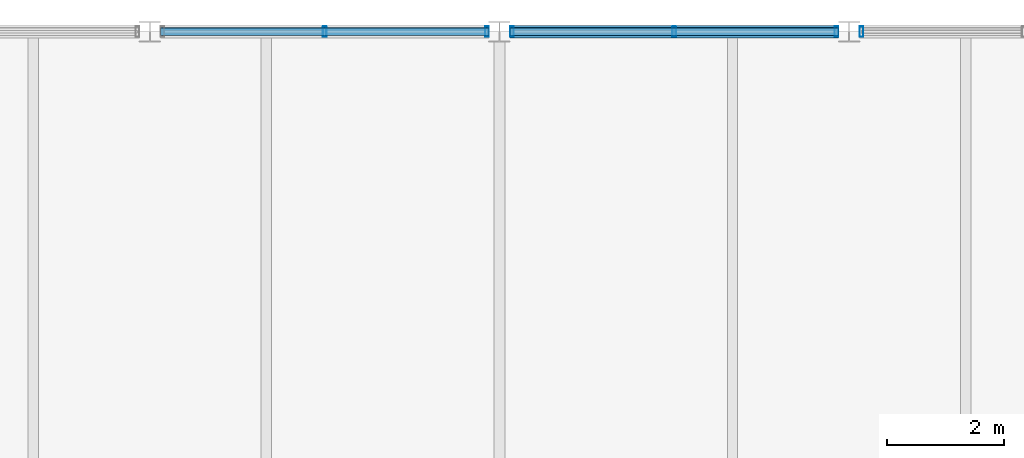
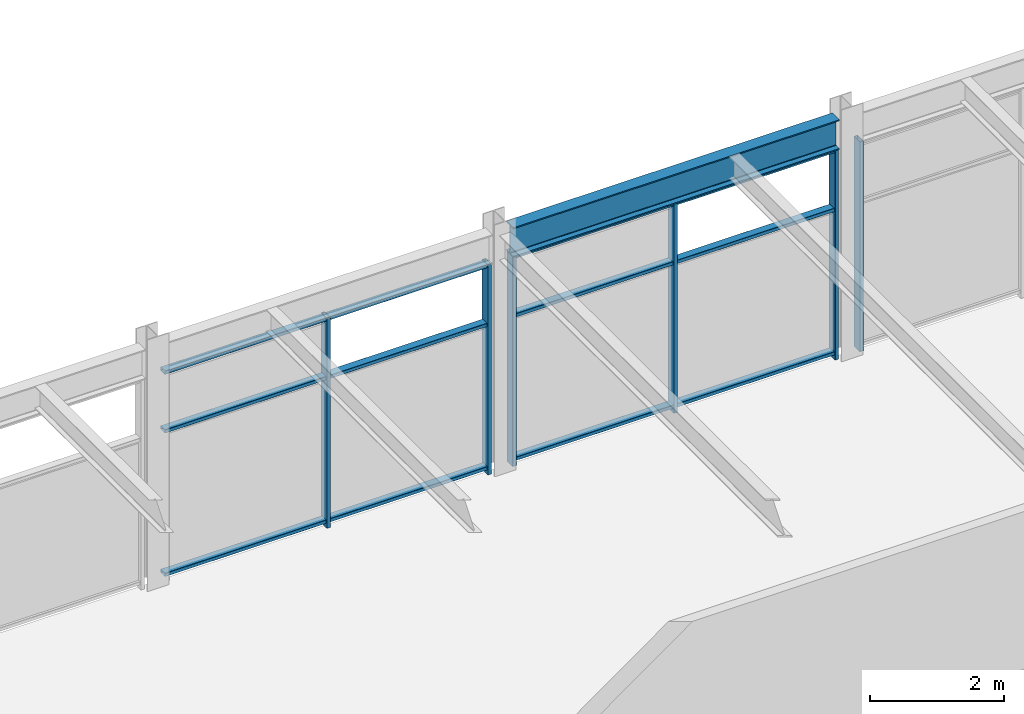
# One storey, part 20 of 28: 12 members, 1 beam, 3 elements without a shape of their own.
"""IFC4 building model written with IfcOpenShell, lengths in metres."""

import ifcopenshell
import ifcopenshell.guid

model = None  # the IFC model being written
_history = None  # IfcOwnerHistory: only IFC2X3 demands one
_inside = {}  # id of a spatial element -> (the spatial element, [elements in it])
_under = {}  # id of a project, library or spatial element -> (it, [spatial elements below it])
_declared = {}  # id of a project -> (the project, [libraries it declares])
_typed = {}  # id of a type object -> (the type object, [elements of that type])
_made_of = {}  # id of a material, layer set ... -> (it, [elements and type objects made of it])


def new_model(schema):
    """Start an empty IFC model of exactly this schema.

    Asked for "IFC4X3", IfcOpenShell would pick the latest addendum, in which some entities
    have other attributes; the version numbers below select the first issue.
    IFC2X3 requires an IfcOwnerHistory on every rooted entity: one is made here for all.
    """
    global model, _history
    if schema == "IFC4X3":
        model = ifcopenshell.file(schema_version=(4, 3, 0, 0))
    else:
        model = ifcopenshell.file(schema=schema)
    _inside.clear()
    _under.clear()
    _declared.clear()
    _typed.clear()
    _made_of.clear()
    _history = None
    if model.schema == "IFC2X3":
        org = make("IfcOrganization", Name="unknown")
        user = make(
            "IfcPersonAndOrganization",
            ThePerson=make("IfcPerson", FamilyName="unknown"),
            TheOrganization=org,
        )
        app = make(
            "IfcApplication",
            ApplicationDeveloper=org,
            Version="unknown",
            ApplicationFullName="unknown",
            ApplicationIdentifier="unknown",
        )
        _history = make(
            "IfcOwnerHistory",
            OwningUser=user,
            OwningApplication=app,
            ChangeAction="ADDED",
            CreationDate=0,
        )
    return model


def make(cls, **values):
    """One entity of the class cls with the attributes given. An attribute that is None is left unset."""
    return model.create_entity(
        cls, **{name: value for name, value in values.items() if value is not None}
    )


def rooted(cls, **values):
    """An entity with a GlobalId (a new one), such as an element, a storey or a relation."""
    return make(cls, GlobalId=ifcopenshell.guid.new(), OwnerHistory=_history, **values)


def si_unit(unit_type, name, prefix=None):
    """IfcSIUnit, for example si_unit("LENGTHUNIT", "METRE", prefix="MILLI")."""
    return make("IfcSIUnit", UnitType=unit_type, Prefix=prefix, Name=name)


def assignment(units):
    """IfcUnitAssignment: the units of a project."""
    return None if units is None else make("IfcUnitAssignment", Units=units)


def point(xyz):
    """IfcCartesianPoint."""
    return None if xyz is None else make("IfcCartesianPoint", Coordinates=xyz)


def direction(xyz):
    """IfcDirection."""
    return None if xyz is None else make("IfcDirection", DirectionRatios=xyz)


def frame(location, z_axis=None, x_axis=None):
    """IfcAxis2Placement3D, a coordinate frame: its origin and axes. An axis left out is left unset."""
    return make(
        "IfcAxis2Placement3D",
        Location=point(location),
        Axis=direction(z_axis),
        RefDirection=direction(x_axis),
    )


def frame_2d(location, x_axis=None):
    """IfcAxis2Placement2D, a coordinate frame in the plane: its origin and x axis."""
    return make(
        "IfcAxis2Placement2D", Location=point(location), RefDirection=direction(x_axis)
    )


def origin():
    """The frame at (0, 0, 0) with its axes left unset."""
    return frame((0.0, 0.0, 0.0))


def origin_2d():
    """The frame at (0, 0) in the plane with its x axis left unset."""
    return frame_2d((0.0, 0.0))


def place(relative_to, where):
    """IfcLocalPlacement: puts the frame where relative to a parent placement (None: the world)."""
    return make(
        "IfcLocalPlacement", PlacementRelTo=relative_to, RelativePlacement=where
    )


def context(
    kind, dimensions, precision=None, world=None, true_north=None, identifier=None
):
    """IfcGeometricRepresentationContext, for example the 3D "Model" context."""
    return make(
        "IfcGeometricRepresentationContext",
        ContextIdentifier=identifier,
        ContextType=kind,
        CoordinateSpaceDimension=dimensions,
        Precision=precision,
        WorldCoordinateSystem=world,
        TrueNorth=true_north,
    )


def subcontext(parent, identifier, kind, view, scale=None):
    """IfcGeometricRepresentationSubContext, for example "Body" below "Model"."""
    return make(
        "IfcGeometricRepresentationSubContext",
        ContextIdentifier=identifier,
        ContextType=kind,
        ParentContext=parent,
        TargetScale=scale,
        TargetView=view,
    )


def project(units=None, contexts=None):
    """IfcProject with its units and contexts."""
    return rooted(
        "IfcProject",
        Name="project",
        RepresentationContexts=contexts,
        UnitsInContext=assignment(units),
    )


def spatial(cls, under=None, at=None, **own):
    """A site, building, storey or space (cls), placed at a placement, below another one or the project."""
    s = rooted(cls, ObjectPlacement=at, **own)
    if under is not None:
        _under.setdefault(under.id(), (under, []))[1].append(s)
    return s


def profile(cls, at=None, kind="AREA", **sizes):
    """A parametric profile (cls). Its sizes go by their IFC names, for example OverallWidth=200.0."""
    return make(cls, ProfileType=kind, Position=at, **sizes)


def hollow_rectangle(**sizes):
    """IfcRectangleHollowProfileDef."""
    return profile("IfcRectangleHollowProfileDef", **sizes)


def i_section(**sizes):
    """IfcIShapeProfileDef."""
    return profile("IfcIShapeProfileDef", **sizes)


def extrude(swept, where, along, depth):
    """IfcExtrudedAreaSolid: the profile swept, set in the frame where, extruded along a direction by depth."""
    return make(
        "IfcExtrudedAreaSolid",
        SweptArea=swept,
        Position=where,
        ExtrudedDirection=direction(along),
        Depth=depth,
    )


def shape(context_of_items, identifier, shape_type, items):
    """IfcShapeRepresentation: the items that make up one representation, for example the "Body"."""
    return make(
        "IfcShapeRepresentation",
        ContextOfItems=context_of_items,
        RepresentationIdentifier=identifier,
        RepresentationType=shape_type,
        Items=items,
    )


def material(Name=None, Category=None):
    """IfcMaterial."""
    return make("IfcMaterial", Name=Name, Category=Category)


def material_profile(
    of_material, cross_section, Name=None, Category=None, Priority=None
):
    """IfcMaterialProfile: a cross section and its material."""
    return make(
        "IfcMaterialProfile",
        Name=Name,
        Material=of_material,
        Profile=cross_section,
        Priority=Priority,
        Category=Category,
    )


def profile_set(profiles, Name=None, composite=None):
    """IfcMaterialProfileSet."""
    return make(
        "IfcMaterialProfileSet",
        Name=Name,
        MaterialProfiles=profiles,
        CompositeProfile=composite,
    )


def made_of(thing, what):
    """Note that an element or type object is made of a material, layer set ...; save() writes the relation."""
    if what is not None:
        _made_of.setdefault(what.id(), (what, []))[1].append(thing)
    return thing


def type_object(cls, material=None, **own):
    """A type object (cls), such as IfcWallType, which elements share."""
    return made_of(rooted(cls, **own), material)


def element(
    cls,
    number,
    at=None,
    inside=None,
    cuts=None,
    type_object=None,
    material=None,
    context=None,
    identifier="Body",
    shape_type=None,
    held_by="IfcProductDefinitionShape",
    body=None,
    shapes=None,
    **own,
):
    """One element of the class cls, such as IfcWall. Its Tag is "e" and its number.

    at: its placement. inside: the storey or other place that contains it. cuts: it is an
    opening in that element (IfcRelVoidsElement). A single representation is given by context,
    identifier, shape_type and body (its items); several are given by shapes. held_by: the class
    of the entity that holds the representations. save() writes the other relations.
    """
    e = rooted(cls, Tag="e%d" % number, ObjectPlacement=at, **own)
    if body is not None:
        shapes = [shape(context, identifier, shape_type, body)]
    if shapes is not None:
        e.Representation = make(held_by, Representations=shapes)
    if inside is not None:
        _inside.setdefault(inside.id(), (inside, []))[1].append(e)
    if cuts is not None:
        rooted(
            "IfcRelVoidsElement", RelatingBuildingElement=cuts, RelatedOpeningElement=e
        )
    if type_object is not None:
        _typed.setdefault(type_object.id(), (type_object, []))[1].append(e)
    return made_of(e, material)


def aggregate(whole, parts):
    """IfcRelAggregates: a whole, such as a stair, and the parts it consists of."""
    return rooted("IfcRelAggregates", RelatingObject=whole, RelatedObjects=parts)


def save(model, path):
    """Write the relations noted so far, then the file.

    IfcRelAggregates (storeys below a building ...), IfcRelContainedInSpatialStructure (elements
    in a storey), IfcRelDefinesByType, IfcRelAssociatesMaterial and IfcRelDeclares: one each for
    every whole, place, type object, material and project.
    """
    for whole, parts in _under.values():
        aggregate(whole, parts)
    for where, things in _inside.values():
        rooted(
            "IfcRelContainedInSpatialStructure",
            RelatedElements=things,
            RelatingStructure=where,
        )
    for kind, things in _typed.values():
        rooted("IfcRelDefinesByType", RelatedObjects=things, RelatingType=kind)
    for what, things in _made_of.values():
        rooted("IfcRelAssociatesMaterial", RelatedObjects=things, RelatingMaterial=what)
    for by, libraries in _declared.values():
        rooted("IfcRelDeclares", RelatingContext=by, RelatedDefinitions=libraries)
    model.write(path)


model = new_model("IFC4")

# Units and contexts
model_context = context("Model", 3, precision=1e-05, world=origin(), true_north=direction((0.0, 1.0)))
body_context = subcontext(model_context, "Body", "Model", "MODEL_VIEW")
ifc_project = project(units=[si_unit("LENGTHUNIT", "METRE"), si_unit("AREAUNIT", "SQUARE_METRE"), si_unit("VOLUMEUNIT", "CUBIC_METRE"), si_unit("PLANEANGLEUNIT", "RADIAN"), si_unit("MASSUNIT", "GRAM", prefix="KILO")], contexts=[model_context])

# Site, building, storey
site_placement = place(None, origin())
site = spatial("IfcSite", under=ifc_project, at=site_placement, CompositionType="ELEMENT")
building_placement = place(site_placement, origin())
building = spatial("IfcBuilding", under=site, at=building_placement, Name="Girod Span Mobility Hub", CompositionType="ELEMENT")
storey_placement = place(building_placement, frame((0.0, 0.0, 69.60009765625)))
storey = spatial("IfcBuildingStorey", under=building, at=storey_placement, Name="L17", CompositionType="ELEMENT", Elevation=69.60009765625)

# Beam
ifc_material_1 = material(Name="Steel A992 Grade 50", Category="steel")
ifc_material_profile_1 = material_profile(ifc_material_1, i_section(OverallWidth=0.2119140625, OverallDepth=0.5439453125, WebThickness=0.01318359375, FlangeThickness=0.021240234375, FilletRadius=0.014892578125, at=origin_2d()), Name="W21X83")
ifc_profile_set_1 = profile_set([ifc_material_profile_1], Name="Steel A992 Grade 50")
beam_type = type_object("IfcBeamType", Name="BM-STL-W21X83", PredefinedType="SPANDREL", material=ifc_profile_set_1)
beam_placement = place(storey_placement, frame((84.181396484375, 69.0, 4.10791015625), z_axis=(1.0, 0.0, 0.0), x_axis=(0.0, 1.0, 0.0)))
element("IfcBeam", 1, at=beam_placement, inside=storey, type_object=beam_type, Name="Spandrel Beam 8-9/F-W L17", PredefinedType="SPANDREL", context=body_context, shape_type="SweptSolid", body=[
    extrude(i_section(OverallWidth=0.2119140625, OverallDepth=0.5439453125, WebThickness=0.01318359375, FlangeThickness=0.021240234375, FilletRadius=0.014892578125, at=origin_2d()), origin(), (0.0, 0.0, 1.0), 5.63720703125),
])

# Curtain wall, members
ifc_material_2 = material(Name="Thermally Broken Anodised Aluminium", Category="aluminium")
curtain_wall_type = type_object("IfcCurtainWallType", Name="CW-564X384", PredefinedType="USERDEFINED", material=ifc_material_2)
curtain_wall_1_placement = place(storey_placement, origin())
curtain_wall_1 = element("IfcCurtainWall", 2, at=curtain_wall_1_placement, inside=storey, type_object=curtain_wall_type, Name="Unitised Curtain Wall CW-L17-N07E L17", ObjectType="UNITISED CURTAIN WALL", PredefinedType="USERDEFINED")
ifc_material_3 = material(Name="Thermally Broken Anodised Aluminium", Category="aluminium")
ifc_material_profile_2 = material_profile(ifc_material_3, hollow_rectangle(XDim=0.179931640625, YDim=0.06494140625, WallThickness=0.00390625, InnerFilletRadius=0.00390625, OuterFilletRadius=0.008056640625, at=origin_2d()), Name="CW-ML-65X180")
ifc_profile_set_2 = profile_set([ifc_material_profile_2], Name="Thermally Broken Anodised Aluminium")
member_type_1 = type_object("IfcMemberType", Name="CWM-ML-2", PredefinedType="MULLION", material=ifc_profile_set_2)
member_1_placement = place(storey_placement, frame((81.0, 69.0, 0.0), z_axis=(0.0, 0.0, 1.0), x_axis=(0.0, 1.0, 0.0)))
member_1 = element("IfcMember", 3, at=member_1_placement, type_object=member_type_1, Name="Curtain Wall Mullion CW-L17-N07E-M1", PredefinedType="MULLION", context=body_context, shape_type="SweptSolid", body=[
    extrude(hollow_rectangle(XDim=0.179931640625, YDim=0.06494140625, WallThickness=0.00390625, InnerFilletRadius=0.00390625, OuterFilletRadius=0.008056640625, at=origin_2d()), origin(), (0.0, 0.0, 1.0), 3.8359375),
])
member_2_placement = place(storey_placement, frame((83.785400390625, 69.0, 0.0), z_axis=(0.0, 0.0, 1.0), x_axis=(0.0, 1.0, 0.0)))
member_2 = element("IfcMember", 4, at=member_2_placement, type_object=member_type_1, Name="Curtain Wall Mullion CW-L17-N07E-M2", PredefinedType="MULLION", context=body_context, shape_type="SweptSolid", body=[
    extrude(hollow_rectangle(XDim=0.179931640625, YDim=0.06494140625, WallThickness=0.00390625, InnerFilletRadius=0.00390625, OuterFilletRadius=0.008056640625, at=origin_2d()), origin(), (0.0, 0.0, 1.0), 3.8359375),
])

curtain_wall_2_placement = place(storey_placement, origin())
curtain_wall_2 = element("IfcCurtainWall", 5, at=curtain_wall_2_placement, inside=storey, type_object=curtain_wall_type, Name="Unitised Curtain Wall CW-L17-N08W L17", ObjectType="UNITISED CURTAIN WALL", PredefinedType="USERDEFINED")
member_3_placement = place(storey_placement, frame((84.214599609375, 69.0, 0.0), z_axis=(0.0, 0.0, 1.0), x_axis=(0.0, 1.0, 0.0)))
member_3 = element("IfcMember", 6, at=member_3_placement, type_object=member_type_1, Name="Curtain Wall Mullion CW-L17-N08W-M0", PredefinedType="MULLION", context=body_context, shape_type="SweptSolid", body=[
    extrude(hollow_rectangle(XDim=0.179931640625, YDim=0.06494140625, WallThickness=0.00390625, InnerFilletRadius=0.00390625, OuterFilletRadius=0.008056640625, at=origin_2d()), origin(), (0.0, 0.0, 1.0), 3.8359375),
])
member_4_placement = place(storey_placement, frame((87.0, 69.0, 0.0), z_axis=(0.0, 0.0, 1.0), x_axis=(0.0, 1.0, 0.0)))
member_4 = element("IfcMember", 7, at=member_4_placement, type_object=member_type_1, Name="Curtain Wall Mullion CW-L17-N08W-M1", PredefinedType="MULLION", context=body_context, shape_type="SweptSolid", body=[
    extrude(hollow_rectangle(XDim=0.179931640625, YDim=0.06494140625, WallThickness=0.00390625, InnerFilletRadius=0.00390625, OuterFilletRadius=0.008056640625, at=origin_2d()), origin(), (0.0, 0.0, 1.0), 3.8359375),
])
member_5_placement = place(storey_placement, frame((89.785400390625, 69.0, 0.0), z_axis=(0.0, 0.0, 1.0), x_axis=(0.0, 1.0, 0.0)))
member_5 = element("IfcMember", 8, at=member_5_placement, type_object=member_type_1, Name="Curtain Wall Mullion CW-L17-N08W-M2", PredefinedType="MULLION", context=body_context, shape_type="SweptSolid", body=[
    extrude(hollow_rectangle(XDim=0.179931640625, YDim=0.06494140625, WallThickness=0.00390625, InnerFilletRadius=0.00390625, OuterFilletRadius=0.008056640625, at=origin_2d()), origin(), (0.0, 0.0, 1.0), 3.8359375),
])

# Curtain wall, member
curtain_wall_3_placement = place(storey_placement, origin())
curtain_wall_3 = element("IfcCurtainWall", 9, at=curtain_wall_3_placement, inside=storey, type_object=curtain_wall_type, Name="Unitised Curtain Wall CW-L17-N08E L17", ObjectType="UNITISED CURTAIN WALL", PredefinedType="USERDEFINED")
member_6_placement = place(storey_placement, frame((90.214599609375, 69.0, 0.0), z_axis=(0.0, 0.0, 1.0), x_axis=(0.0, 1.0, 0.0)))
member_6 = element("IfcMember", 10, at=member_6_placement, type_object=member_type_1, Name="Curtain Wall Mullion CW-L17-N08E-M0", PredefinedType="MULLION", context=body_context, shape_type="SweptSolid", body=[
    extrude(hollow_rectangle(XDim=0.179931640625, YDim=0.06494140625, WallThickness=0.00390625, InnerFilletRadius=0.00390625, OuterFilletRadius=0.008056640625, at=origin_2d()), origin(), (0.0, 0.0, 1.0), 3.8359375),
])
aggregate(curtain_wall_3, [member_6])

# Member
ifc_material_4 = material(Name="Thermally Broken Anodised Aluminium", Category="aluminium")
ifc_material_profile_3 = material_profile(ifc_material_4, hollow_rectangle(XDim=0.135009765625, YDim=0.06494140625, WallThickness=0.00390625, InnerFilletRadius=0.00390625, OuterFilletRadius=0.008056640625, at=origin_2d()), Name="CW-TR-65X135")
ifc_profile_set_3 = profile_set([ifc_material_profile_3], Name="Thermally Broken Anodised Aluminium")
member_type_2 = type_object("IfcMemberType", Name="CWM-TR-2", PredefinedType="USERDEFINED", material=ifc_profile_set_3)
member_7_placement = place(storey_placement, frame((78.1826171875, 69.0, 0.107421875), z_axis=(1.0, 0.0, 0.0), x_axis=(0.0, 1.0, 0.0)))
member_7 = element("IfcMember", 11, at=member_7_placement, type_object=member_type_2, Name="Curtain Wall Transom CW-L17-N07E-T1", ObjectType="TRANSOM", PredefinedType="USERDEFINED", context=body_context, shape_type="SweptSolid", body=[
    extrude(hollow_rectangle(XDim=0.135009765625, YDim=0.06494140625, WallThickness=0.00390625, InnerFilletRadius=0.00390625, OuterFilletRadius=0.008056640625, at=origin_2d()), origin(), (0.0, 0.0, 1.0), 5.634765625),
])

member_8_placement = place(storey_placement, frame((78.1826171875, 69.0, 2.729248046875), z_axis=(1.0, 0.0, 0.0), x_axis=(0.0, 1.0, 0.0)))
member_8 = element("IfcMember", 12, at=member_8_placement, type_object=member_type_2, Name="Curtain Wall Transom CW-L17-N07E-T2", ObjectType="TRANSOM", PredefinedType="USERDEFINED", context=body_context, shape_type="SweptSolid", body=[
    extrude(hollow_rectangle(XDim=0.135009765625, YDim=0.06494140625, WallThickness=0.00390625, InnerFilletRadius=0.00390625, OuterFilletRadius=0.008056640625, at=origin_2d()), origin(), (0.0, 0.0, 1.0), 5.634765625),
])

member_9_placement = place(storey_placement, frame((78.1826171875, 69.0, 3.803466796875), z_axis=(1.0, 0.0, 0.0), x_axis=(0.0, 1.0, 0.0)))
member_9 = element("IfcMember", 13, at=member_9_placement, type_object=member_type_2, Name="Curtain Wall Transom CW-L17-N07E-T3", ObjectType="TRANSOM", PredefinedType="USERDEFINED", context=body_context, shape_type="SweptSolid", body=[
    extrude(hollow_rectangle(XDim=0.135009765625, YDim=0.06494140625, WallThickness=0.00390625, InnerFilletRadius=0.00390625, OuterFilletRadius=0.008056640625, at=origin_2d()), origin(), (0.0, 0.0, 1.0), 5.634765625),
])

aggregate(curtain_wall_1, [member_1, member_2, member_7, member_8, member_9])

member_10_placement = place(storey_placement, frame((84.1826171875, 69.0, 0.107421875), z_axis=(1.0, 0.0, 0.0), x_axis=(0.0, 1.0, 0.0)))
member_10 = element("IfcMember", 14, at=member_10_placement, type_object=member_type_2, Name="Curtain Wall Transom CW-L17-N08W-T1", ObjectType="TRANSOM", PredefinedType="USERDEFINED", context=body_context, shape_type="SweptSolid", body=[
    extrude(hollow_rectangle(XDim=0.135009765625, YDim=0.06494140625, WallThickness=0.00390625, InnerFilletRadius=0.00390625, OuterFilletRadius=0.008056640625, at=origin_2d()), origin(), (0.0, 0.0, 1.0), 5.634765625),
])

member_11_placement = place(storey_placement, frame((84.1826171875, 69.0, 2.729248046875), z_axis=(1.0, 0.0, 0.0), x_axis=(0.0, 1.0, 0.0)))
member_11 = element("IfcMember", 15, at=member_11_placement, type_object=member_type_2, Name="Curtain Wall Transom CW-L17-N08W-T2", ObjectType="TRANSOM", PredefinedType="USERDEFINED", context=body_context, shape_type="SweptSolid", body=[
    extrude(hollow_rectangle(XDim=0.135009765625, YDim=0.06494140625, WallThickness=0.00390625, InnerFilletRadius=0.00390625, OuterFilletRadius=0.008056640625, at=origin_2d()), origin(), (0.0, 0.0, 1.0), 5.634765625),
])

member_12_placement = place(storey_placement, frame((84.1826171875, 69.0, 3.803466796875), z_axis=(1.0, 0.0, 0.0), x_axis=(0.0, 1.0, 0.0)))
member_12 = element("IfcMember", 16, at=member_12_placement, type_object=member_type_2, Name="Curtain Wall Transom CW-L17-N08W-T3", ObjectType="TRANSOM", PredefinedType="USERDEFINED", context=body_context, shape_type="SweptSolid", body=[
    extrude(hollow_rectangle(XDim=0.135009765625, YDim=0.06494140625, WallThickness=0.00390625, InnerFilletRadius=0.00390625, OuterFilletRadius=0.008056640625, at=origin_2d()), origin(), (0.0, 0.0, 1.0), 5.634765625),
])

aggregate(curtain_wall_2, [member_3, member_4, member_5, member_10, member_11, member_12])

save(model, "model.ifc")
